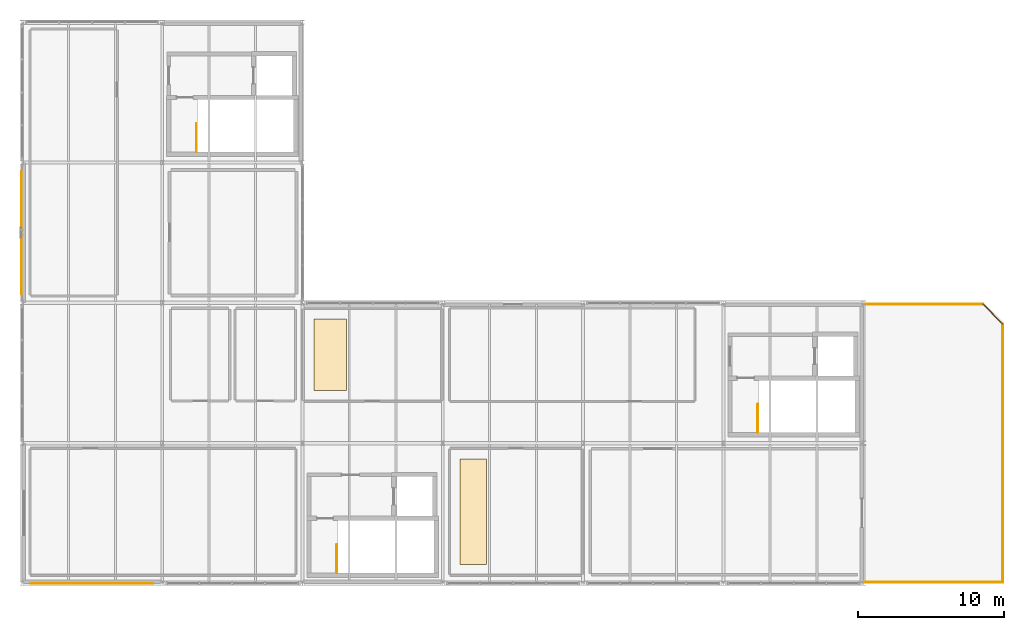
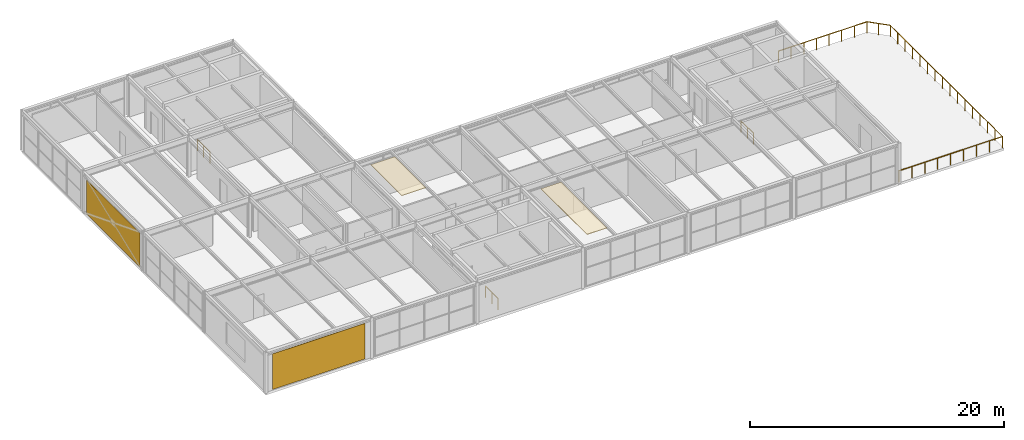
# One storey, part 33 of 33: 7 railings, 4 coverings.
"""IFC4 building model written with IfcOpenShell, lengths in metres."""

from ifc_helpers import new_model, si_unit, direction, frame, origin, origin_2d, place, context, subcontext, project, spatial, polyline, rectangle, circle, outline, extrude, material, layer, layer_set, type_object, element, save


model = new_model("IFC4")

# Units and contexts
model_context = context("Model", 3, precision=1e-05, world=origin(), true_north=direction((0.0, 1.0)))
body_context = subcontext(model_context, "Body", "Model", "MODEL_VIEW")
ifc_project = project(units=[si_unit("LENGTHUNIT", "METRE"), si_unit("AREAUNIT", "SQUARE_METRE"), si_unit("VOLUMEUNIT", "CUBIC_METRE"), si_unit("PLANEANGLEUNIT", "RADIAN"), si_unit("MASSUNIT", "GRAM", prefix="KILO")], contexts=[model_context])

# Site, building, storey
site_placement = place(None, origin())
site = spatial("IfcSite", under=ifc_project, at=site_placement, CompositionType="ELEMENT")
building_placement = place(site_placement, origin())
building = spatial("IfcBuilding", under=site, at=building_placement, Name="Coralgate Yard Interchange", CompositionType="ELEMENT")
storey_placement = place(building_placement, frame((0.0, 0.0, 23.10009765625)))
storey = spatial("IfcBuildingStorey", under=building, at=storey_placement, Name="L05", CompositionType="ELEMENT", Elevation=23.10009765625)

# Coverings
ifc_material_1 = material(Name="Perforated marine-grade aluminium acoustic ceiling raft", Category="aluminium")
ifc_layer_1 = layer(ifc_material_1, 0.0400390625)
ifc_layer_set_1 = layer_set([ifc_layer_1], Name="Perforated marine-grade aluminium acoustic ceiling raft")
covering_type_1 = type_object("IfcCoveringType", Name="COV-CEL1", PredefinedType="CEILING", material=ifc_layer_set_1)
covering_1_placement = place(storey_placement, frame((0.0, 0.0, 3.914794921875)))
element("IfcCovering", 1, at=covering_1_placement, inside=storey, type_object=covering_type_1, Name="Capital Projects Procurement Suite acoustic soffit panel", PredefinedType="CEILING", context=body_context, shape_type="SweptSolid", body=[
    extrude(outline(polyline([(20.0, 13.199951171875), (22.199951171875, 13.199951171875), (22.199951171875, 18.10009765625), (20.0, 18.10009765625), (20.0, 13.199951171875)])), origin(), (0.0, 0.0, 1.0), 0.0400390625),
])
ifc_material_2 = material(Name="Mineral-fibre acoustic baffle ceiling panel")
ifc_layer_2 = layer(ifc_material_2, 0.06005859375)
ifc_layer_set_2 = layer_set([ifc_layer_2], Name="Mineral-fibre acoustic baffle ceiling panel")
covering_type_2 = type_object("IfcCoveringType", Name="COV-CEL2", PredefinedType="CEILING", material=ifc_layer_set_2)
covering_2_placement = place(storey_placement, frame((0.0, 0.0, 3.89501953125)))
element("IfcCovering", 2, at=covering_2_placement, inside=storey, type_object=covering_type_2, Name="Infrastructure Engineering Design Studio acoustic soffit panel", PredefinedType="CEILING", context=body_context, shape_type="SweptSolid", body=[
    extrude(outline(polyline([(29.97998046875, 1.280029296875), (31.800048828125, 1.280029296875), (31.800048828125, 8.52001953125), (29.97998046875, 8.52001953125), (29.97998046875, 1.280029296875)])), origin(), (0.0, 0.0, 1.0), 0.059814453125),
])
ifc_material_3 = material(Name="Coral-buff architectural terracotta rainscreen cladding", Category="masonry")
ifc_layer_3 = layer(ifc_material_3, 0.0400390625)
ifc_layer_set_3 = layer_set([ifc_layer_3], Name="Coral-buff architectural terracotta rainscreen cladding")
covering_type_3 = type_object("IfcCoveringType", Name="COV-CLD1", PredefinedType="CLADDING", material=ifc_layer_set_3)
covering_3_placement = place(storey_placement, frame((4.800048828125, -0.02001953125, 0.10009765625), z_axis=(0.0, 0.0, 1.0), x_axis=(-1.0, 0.0, 0.0)))
element("IfcCovering", 3, at=covering_3_placement, inside=storey, type_object=covering_type_3, Name="L05 coastal terracotta cladding panel S-0-0", PredefinedType="CLADDING", context=body_context, shape_type="SweptSolid", body=[
    extrude(rectangle(XDim=8.39990234375, YDim=0.0400390625, at=origin_2d()), origin(), (0.0, 0.0, 1.0), 3.429931640625),
])
covering_4_placement = place(storey_placement, frame((-0.02001953125, 24.0, 0.10009765625), z_axis=(0.0, 0.0, 1.0), x_axis=(0.0, 1.0, 0.0)))
element("IfcCovering", 4, at=covering_4_placement, inside=storey, type_object=covering_type_3, Name="L05 coastal terracotta cladding panel W-0-2", PredefinedType="CLADDING", context=body_context, shape_type="SweptSolid", body=[
    extrude(rectangle(XDim=8.39990234375, YDim=0.0400390625, at=origin_2d()), origin(), (0.0, 0.0, 1.0), 3.262939453125),
])

# Railings
ifc_material_4 = material(Name="Grade 316 marine stainless steel and toughened glass balustrade", Category="steel")
railing_type_1 = type_object("IfcRailingType", Name="RLG-GD1100", PredefinedType="BALUSTRADE", material=ifc_material_4)
for number, where, name in (
    (5, (11.949951171875, 29.52001953125, 0.0), "L05 ST-01 top well guard 1"),
    (6, (50.35009765625, 10.320068359375, 0.0), "L05 ST-02 top well guard 1"),
    (7, (21.550048828125, 0.719970703125, 0.0), "L05 ST-03 top well guard 1"),
):
    element("IfcRailing", number, at=place(storey_placement, frame(where)), inside=storey, type_object=railing_type_1, Name=name, PredefinedType="BALUSTRADE", context=body_context, shape_type="SweptSolid", body=[
        extrude(circle(Radius=0.02392578125, at=origin_2d()), frame((0.0, 0.0, 1.076171875), z_axis=(0.0, 1.0, 0.0), x_axis=(-1.0, 0.0, 0.0)), (0.0, 0.0, 1.0), 1.93994140625),
        extrude(circle(Radius=0.02099609375, at=origin_2d()), origin(), (0.0, 0.0, 1.0), 1.051513671875),
        extrude(circle(Radius=0.02099609375, at=origin_2d()), frame((0.0, 0.969970703125, 0.0)), (0.0, 0.0, 1.0), 1.051513671875),
        extrude(circle(Radius=0.02099609375, at=origin_2d()), frame((0.0, 1.93994140625, 0.0)), (0.0, 0.0, 1.0), 1.051513671875),
    ])
ifc_material_5 = material(Name="Galvanised and powder-coated steel guardrail", Category="steel")
railing_type_2 = type_object("IfcRailingType", Name="RLG-GR1100", PredefinedType="GUARDRAIL", material=ifc_material_5)
railing_1_placement = place(storey_placement, frame((57.699951171875, 19.10009765625, 0.0)))
element("IfcRailing", 8, at=railing_1_placement, inside=storey, type_object=railing_type_2, Name="L05 coastal veranda perimeter guardrail 2", PredefinedType="GUARDRAIL", context=body_context, shape_type="SweptSolid", body=[
    extrude(circle(Radius=0.02392578125, at=origin_2d()), frame((0.0, 0.0, 1.0810546875), z_axis=(1.0, 0.0, 0.0), x_axis=(0.0, 1.0, 0.0)), (0.0, 0.0, 1.0), 8.05859375),
    extrude(circle(Radius=0.02099609375, at=origin_2d()), origin(), (0.0, 0.0, 1.0), 1.056396484375),
    extrude(circle(Radius=0.02099609375, at=origin_2d()), frame((1.151123046875, 0.0, 0.0)), (0.0, 0.0, 1.0), 1.056396484375),
    extrude(circle(Radius=0.02099609375, at=origin_2d()), frame((2.302490234375, 0.0, 0.0)), (0.0, 0.0, 1.0), 1.056396484375),
    extrude(circle(Radius=0.02099609375, at=origin_2d()), frame((3.45361328125, 0.0, 0.0)), (0.0, 0.0, 1.0), 1.056396484375),
    extrude(circle(Radius=0.02099609375, at=origin_2d()), frame((4.60498046875, 0.0, 0.0)), (0.0, 0.0, 1.0), 1.056396484375),
    extrude(circle(Radius=0.02099609375, at=origin_2d()), frame((5.756103515625, 0.0, 0.0)), (0.0, 0.0, 1.0), 1.056396484375),
    extrude(circle(Radius=0.02099609375, at=origin_2d()), frame((6.907470703125, 0.0, 0.0)), (0.0, 0.0, 1.0), 1.056396484375),
    extrude(circle(Radius=0.02099609375, at=origin_2d()), frame((8.05859375, 0.0, 0.0)), (0.0, 0.0, 1.0), 1.056396484375),
])
railing_2_placement = place(storey_placement, frame((65.758544921875, 19.10009765625, 0.0)))
element("IfcRailing", 9, at=railing_2_placement, inside=storey, type_object=railing_type_2, Name="L05 coastal veranda perimeter guardrail 3", PredefinedType="GUARDRAIL", context=body_context, shape_type="SweptSolid", body=[
    extrude(circle(Radius=0.02392578125, at=origin_2d()), frame((0.0, 0.0, 1.0810546875), z_axis=(0.707106781187, -0.707106781187, 0.0), x_axis=(0.707106781187, 0.707106781187, 0.0)), (0.0, 0.0, 1.0), 1.897216796875),
    extrude(circle(Radius=0.02099609375, at=origin_2d()), origin(), (0.0, 0.0, 1.0), 1.056396484375),
    extrude(circle(Radius=0.02099609375, at=origin_2d()), frame((0.6708984375, -0.6708984375, 0.0)), (0.0, 0.0, 1.0), 1.056396484375),
    extrude(circle(Radius=0.02099609375, at=origin_2d()), frame((1.341552734375, -1.341552734375, 0.0)), (0.0, 0.0, 1.0), 1.056396484375),
])
railing_3_placement = place(storey_placement, frame((67.10009765625, 17.758544921875, 0.0)))
element("IfcRailing", 10, at=railing_3_placement, inside=storey, type_object=railing_type_2, Name="L05 coastal veranda perimeter guardrail 4", PredefinedType="GUARDRAIL", context=body_context, shape_type="SweptSolid", body=[
    extrude(circle(Radius=0.02392578125, at=origin_2d()), frame((0.0, 0.0, 1.0810546875), z_axis=(0.0, -1.0, 0.0), x_axis=(1.0, 0.0, 0.0)), (0.0, 0.0, 1.0), 17.658447265625),
    extrude(circle(Radius=0.02099609375, at=origin_2d()), origin(), (0.0, 0.0, 1.0), 1.056396484375),
    extrude(circle(Radius=0.02099609375, at=origin_2d()), frame((0.0, -1.17724609375, 0.0)), (0.0, 0.0, 1.0), 1.056396484375),
    extrude(circle(Radius=0.02099609375, at=origin_2d()), frame((0.0, -2.3544921875, 0.0)), (0.0, 0.0, 1.0), 1.056396484375),
    extrude(circle(Radius=0.02099609375, at=origin_2d()), frame((0.0, -3.53173828125, 0.0)), (0.0, 0.0, 1.0), 1.056396484375),
    extrude(circle(Radius=0.02099609375, at=origin_2d()), frame((0.0, -4.708984375, 0.0)), (0.0, 0.0, 1.0), 1.056396484375),
    extrude(circle(Radius=0.02099609375, at=origin_2d()), frame((0.0, -5.88623046875, 0.0)), (0.0, 0.0, 1.0), 1.056396484375),
    extrude(circle(Radius=0.02099609375, at=origin_2d()), frame((0.0, -7.0634765625, 0.0)), (0.0, 0.0, 1.0), 1.056396484375),
    extrude(circle(Radius=0.02099609375, at=origin_2d()), frame((0.0, -8.24072265625, 0.0)), (0.0, 0.0, 1.0), 1.056396484375),
    extrude(circle(Radius=0.02099609375, at=origin_2d()), frame((0.0, -9.417724609375, 0.0)), (0.0, 0.0, 1.0), 1.056396484375),
    extrude(circle(Radius=0.02099609375, at=origin_2d()), frame((0.0, -10.594970703125, 0.0)), (0.0, 0.0, 1.0), 1.056396484375),
    extrude(circle(Radius=0.02099609375, at=origin_2d()), frame((0.0, -11.772216796875, 0.0)), (0.0, 0.0, 1.0), 1.056396484375),
    extrude(circle(Radius=0.02099609375, at=origin_2d()), frame((0.0, -12.949462890625, 0.0)), (0.0, 0.0, 1.0), 1.056396484375),
    extrude(circle(Radius=0.02099609375, at=origin_2d()), frame((0.0, -14.126708984375, 0.0)), (0.0, 0.0, 1.0), 1.056396484375),
    extrude(circle(Radius=0.02099609375, at=origin_2d()), frame((0.0, -15.303955078125, 0.0)), (0.0, 0.0, 1.0), 1.056396484375),
    extrude(circle(Radius=0.02099609375, at=origin_2d()), frame((0.0, -16.481201171875, 0.0)), (0.0, 0.0, 1.0), 1.056396484375),
    extrude(circle(Radius=0.02099609375, at=origin_2d()), frame((0.0, -17.658447265625, 0.0)), (0.0, 0.0, 1.0), 1.056396484375),
])
railing_4_placement = place(storey_placement, frame((67.10009765625, 0.10009765625, 0.0)))
element("IfcRailing", 11, at=railing_4_placement, inside=storey, type_object=railing_type_2, Name="L05 coastal veranda perimeter guardrail 5", PredefinedType="GUARDRAIL", context=body_context, shape_type="SweptSolid", body=[
    extrude(circle(Radius=0.02392578125, at=origin_2d()), frame((0.0, 0.0, 1.0810546875), z_axis=(-1.0, 0.0, 0.0), x_axis=(0.0, -1.0, 0.0)), (0.0, 0.0, 1.0), 9.400146484375),
    extrude(circle(Radius=0.02099609375, at=origin_2d()), origin(), (0.0, 0.0, 1.0), 1.056396484375),
    extrude(circle(Radius=0.02099609375, at=origin_2d()), frame((-1.175048828125, 0.0, 0.0)), (0.0, 0.0, 1.0), 1.056396484375),
    extrude(circle(Radius=0.02099609375, at=origin_2d()), frame((-2.35009765625, 0.0, 0.0)), (0.0, 0.0, 1.0), 1.056396484375),
    extrude(circle(Radius=0.02099609375, at=origin_2d()), frame((-3.525146484375, 0.0, 0.0)), (0.0, 0.0, 1.0), 1.056396484375),
    extrude(circle(Radius=0.02099609375, at=origin_2d()), frame((-4.7001953125, 0.0, 0.0)), (0.0, 0.0, 1.0), 1.056396484375),
    extrude(circle(Radius=0.02099609375, at=origin_2d()), frame((-5.875, 0.0, 0.0)), (0.0, 0.0, 1.0), 1.056396484375),
    extrude(circle(Radius=0.02099609375, at=origin_2d()), frame((-7.050048828125, 0.0, 0.0)), (0.0, 0.0, 1.0), 1.056396484375),
    extrude(circle(Radius=0.02099609375, at=origin_2d()), frame((-8.22509765625, 0.0, 0.0)), (0.0, 0.0, 1.0), 1.056396484375),
    extrude(circle(Radius=0.02099609375, at=origin_2d()), frame((-9.400146484375, 0.0, 0.0)), (0.0, 0.0, 1.0), 1.056396484375),
])

save(model, "model.ifc")
